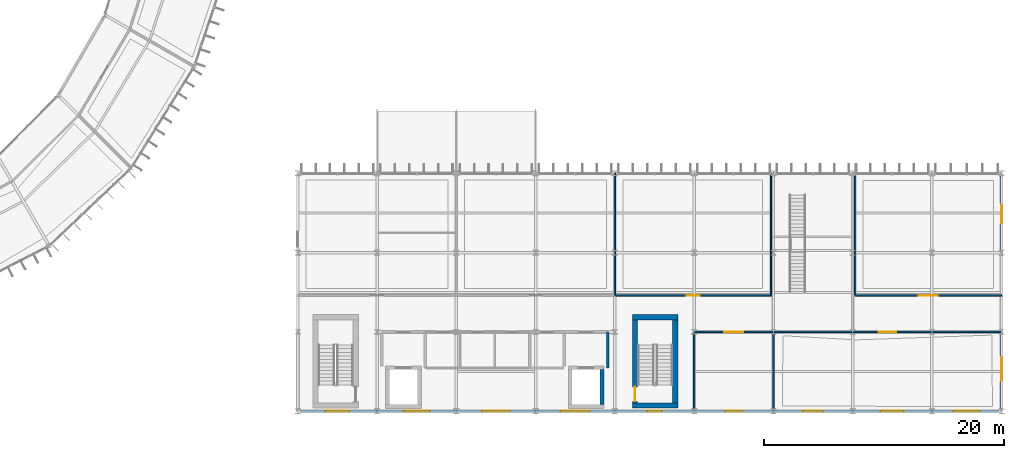
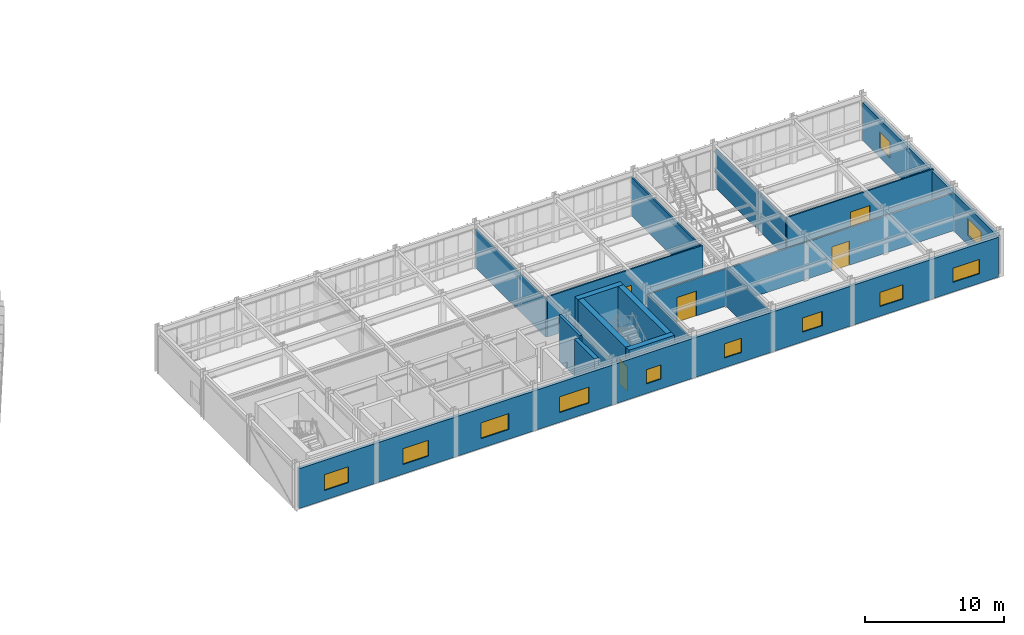
# One storey, part 129 of 148: 17 walls, 11 windows, 5 doors, 16 openings.
"""IFC4 building model written with IfcOpenShell, lengths in metres."""

import ifcopenshell
import ifcopenshell.guid

model = None  # the IFC model being written
_history = None  # IfcOwnerHistory: only IFC2X3 demands one
_inside = {}  # id of a spatial element -> (the spatial element, [elements in it])
_under = {}  # id of a project, library or spatial element -> (it, [spatial elements below it])
_declared = {}  # id of a project -> (the project, [libraries it declares])
_typed = {}  # id of a type object -> (the type object, [elements of that type])
_made_of = {}  # id of a material, layer set ... -> (it, [elements and type objects made of it])


def new_model(schema):
    """Start an empty IFC model of exactly this schema.

    Asked for "IFC4X3", IfcOpenShell would pick the latest addendum, in which some entities
    have other attributes; the version numbers below select the first issue.
    IFC2X3 requires an IfcOwnerHistory on every rooted entity: one is made here for all.
    """
    global model, _history
    if schema == "IFC4X3":
        model = ifcopenshell.file(schema_version=(4, 3, 0, 0))
    else:
        model = ifcopenshell.file(schema=schema)
    _inside.clear()
    _under.clear()
    _declared.clear()
    _typed.clear()
    _made_of.clear()
    _history = None
    if model.schema == "IFC2X3":
        org = make("IfcOrganization", Name="unknown")
        user = make(
            "IfcPersonAndOrganization",
            ThePerson=make("IfcPerson", FamilyName="unknown"),
            TheOrganization=org,
        )
        app = make(
            "IfcApplication",
            ApplicationDeveloper=org,
            Version="unknown",
            ApplicationFullName="unknown",
            ApplicationIdentifier="unknown",
        )
        _history = make(
            "IfcOwnerHistory",
            OwningUser=user,
            OwningApplication=app,
            ChangeAction="ADDED",
            CreationDate=0,
        )
    return model


def make(cls, **values):
    """One entity of the class cls with the attributes given. An attribute that is None is left unset."""
    return model.create_entity(
        cls, **{name: value for name, value in values.items() if value is not None}
    )


def rooted(cls, **values):
    """An entity with a GlobalId (a new one), such as an element, a storey or a relation."""
    return make(cls, GlobalId=ifcopenshell.guid.new(), OwnerHistory=_history, **values)


def si_unit(unit_type, name, prefix=None):
    """IfcSIUnit, for example si_unit("LENGTHUNIT", "METRE", prefix="MILLI")."""
    return make("IfcSIUnit", UnitType=unit_type, Prefix=prefix, Name=name)


def assignment(units):
    """IfcUnitAssignment: the units of a project."""
    return None if units is None else make("IfcUnitAssignment", Units=units)


def point(xyz):
    """IfcCartesianPoint."""
    return None if xyz is None else make("IfcCartesianPoint", Coordinates=xyz)


def direction(xyz):
    """IfcDirection."""
    return None if xyz is None else make("IfcDirection", DirectionRatios=xyz)


def frame(location, z_axis=None, x_axis=None):
    """IfcAxis2Placement3D, a coordinate frame: its origin and axes. An axis left out is left unset."""
    return make(
        "IfcAxis2Placement3D",
        Location=point(location),
        Axis=direction(z_axis),
        RefDirection=direction(x_axis),
    )


def frame_2d(location, x_axis=None):
    """IfcAxis2Placement2D, a coordinate frame in the plane: its origin and x axis."""
    return make(
        "IfcAxis2Placement2D", Location=point(location), RefDirection=direction(x_axis)
    )


def origin():
    """The frame at (0, 0, 0) with its axes left unset."""
    return frame((0.0, 0.0, 0.0))


def place(relative_to, where):
    """IfcLocalPlacement: puts the frame where relative to a parent placement (None: the world)."""
    return make(
        "IfcLocalPlacement", PlacementRelTo=relative_to, RelativePlacement=where
    )


def context(
    kind, dimensions, precision=None, world=None, true_north=None, identifier=None
):
    """IfcGeometricRepresentationContext, for example the 3D "Model" context."""
    return make(
        "IfcGeometricRepresentationContext",
        ContextIdentifier=identifier,
        ContextType=kind,
        CoordinateSpaceDimension=dimensions,
        Precision=precision,
        WorldCoordinateSystem=world,
        TrueNorth=true_north,
    )


def subcontext(parent, identifier, kind, view, scale=None):
    """IfcGeometricRepresentationSubContext, for example "Body" below "Model"."""
    return make(
        "IfcGeometricRepresentationSubContext",
        ContextIdentifier=identifier,
        ContextType=kind,
        ParentContext=parent,
        TargetScale=scale,
        TargetView=view,
    )


def project(units=None, contexts=None):
    """IfcProject with its units and contexts."""
    return rooted(
        "IfcProject",
        Name="project",
        RepresentationContexts=contexts,
        UnitsInContext=assignment(units),
    )


def spatial(cls, under=None, at=None, **own):
    """A site, building, storey or space (cls), placed at a placement, below another one or the project."""
    s = rooted(cls, ObjectPlacement=at, **own)
    if under is not None:
        _under.setdefault(under.id(), (under, []))[1].append(s)
    return s


def profile(cls, at=None, kind="AREA", **sizes):
    """A parametric profile (cls). Its sizes go by their IFC names, for example OverallWidth=200.0."""
    return make(cls, ProfileType=kind, Position=at, **sizes)


def rectangle(**sizes):
    """IfcRectangleProfileDef."""
    return profile("IfcRectangleProfileDef", **sizes)


def extrude(swept, where, along, depth):
    """IfcExtrudedAreaSolid: the profile swept, set in the frame where, extruded along a direction by depth."""
    return make(
        "IfcExtrudedAreaSolid",
        SweptArea=swept,
        Position=where,
        ExtrudedDirection=direction(along),
        Depth=depth,
    )


def shape(context_of_items, identifier, shape_type, items):
    """IfcShapeRepresentation: the items that make up one representation, for example the "Body"."""
    return make(
        "IfcShapeRepresentation",
        ContextOfItems=context_of_items,
        RepresentationIdentifier=identifier,
        RepresentationType=shape_type,
        Items=items,
    )


def material(Name=None, Category=None):
    """IfcMaterial."""
    return make("IfcMaterial", Name=Name, Category=Category)


def layer(
    of_material, thickness, ventilated=None, Name=None, Category=None, Priority=None
):
    """IfcMaterialLayer: one layer of a wall or slab, of a material (None: an air gap)."""
    return make(
        "IfcMaterialLayer",
        Material=of_material,
        LayerThickness=thickness,
        IsVentilated=ventilated,
        Name=Name,
        Category=Category,
        Priority=Priority,
    )


def layer_set(layers, Name=None):
    """IfcMaterialLayerSet."""
    return make("IfcMaterialLayerSet", MaterialLayers=layers, LayerSetName=Name)


def made_of(thing, what):
    """Note that an element or type object is made of a material, layer set ...; save() writes the relation."""
    if what is not None:
        _made_of.setdefault(what.id(), (what, []))[1].append(thing)
    return thing


def type_object(cls, material=None, **own):
    """A type object (cls), such as IfcWallType, which elements share."""
    return made_of(rooted(cls, **own), material)


def element(
    cls,
    number,
    at=None,
    inside=None,
    cuts=None,
    type_object=None,
    material=None,
    context=None,
    identifier="Body",
    shape_type=None,
    held_by="IfcProductDefinitionShape",
    body=None,
    shapes=None,
    **own,
):
    """One element of the class cls, such as IfcWall. Its Tag is "e" and its number.

    at: its placement. inside: the storey or other place that contains it. cuts: it is an
    opening in that element (IfcRelVoidsElement). A single representation is given by context,
    identifier, shape_type and body (its items); several are given by shapes. held_by: the class
    of the entity that holds the representations. save() writes the other relations.
    """
    e = rooted(cls, Tag="e%d" % number, ObjectPlacement=at, **own)
    if body is not None:
        shapes = [shape(context, identifier, shape_type, body)]
    if shapes is not None:
        e.Representation = make(held_by, Representations=shapes)
    if inside is not None:
        _inside.setdefault(inside.id(), (inside, []))[1].append(e)
    if cuts is not None:
        rooted(
            "IfcRelVoidsElement", RelatingBuildingElement=cuts, RelatedOpeningElement=e
        )
    if type_object is not None:
        _typed.setdefault(type_object.id(), (type_object, []))[1].append(e)
    return made_of(e, material)


def fill(opening, filler):
    """IfcRelFillsElement: the door or window that sits in an opening."""
    return rooted(
        "IfcRelFillsElement",
        RelatingOpeningElement=opening,
        RelatedBuildingElement=filler,
    )


def aggregate(whole, parts):
    """IfcRelAggregates: a whole, such as a stair, and the parts it consists of."""
    return rooted("IfcRelAggregates", RelatingObject=whole, RelatedObjects=parts)


def save(model, path):
    """Write the relations noted so far, then the file.

    IfcRelAggregates (storeys below a building ...), IfcRelContainedInSpatialStructure (elements
    in a storey), IfcRelDefinesByType, IfcRelAssociatesMaterial and IfcRelDeclares: one each for
    every whole, place, type object, material and project.
    """
    for whole, parts in _under.values():
        aggregate(whole, parts)
    for where, things in _inside.values():
        rooted(
            "IfcRelContainedInSpatialStructure",
            RelatedElements=things,
            RelatingStructure=where,
        )
    for kind, things in _typed.values():
        rooted("IfcRelDefinesByType", RelatedObjects=things, RelatingType=kind)
    for what, things in _made_of.values():
        rooted("IfcRelAssociatesMaterial", RelatedObjects=things, RelatingMaterial=what)
    for by, libraries in _declared.values():
        rooted("IfcRelDeclares", RelatingContext=by, RelatedDefinitions=libraries)
    model.write(path)


model = new_model("IFC4")

# Units and contexts
model_context = context("Model", 3, precision=1e-05, world=origin(), true_north=direction((0.0, 1.0)))
body_context = subcontext(model_context, "Body", "Model", "MODEL_VIEW")
ifc_project = project(units=[si_unit("LENGTHUNIT", "METRE"), si_unit("AREAUNIT", "SQUARE_METRE"), si_unit("VOLUMEUNIT", "CUBIC_METRE"), si_unit("PLANEANGLEUNIT", "RADIAN"), si_unit("MASSUNIT", "GRAM", prefix="KILO")], contexts=[model_context])

# Site, building, storey
site_placement = place(None, origin())
site = spatial("IfcSite", under=ifc_project, at=site_placement, CompositionType="ELEMENT")
building_placement = place(site_placement, origin())
building = spatial("IfcBuilding", under=site, at=building_placement, Name="Karori Crest Natural Sciences Institute", CompositionType="ELEMENT")
storey_placement = place(building_placement, frame((0.0, 0.0, 4.89990234375)))
storey = spatial("IfcBuildingStorey", under=building, at=storey_placement, Name="L01", CompositionType="ELEMENT", Elevation=4.89990234375)

# Walls
ifc_material_1 = material(Name="Concrete 50 MPa", Category="concrete")
ifc_layer_1 = layer(ifc_material_1, 0.449951171875, Name="Concrete 50 MPa")
ifc_layer_set_1 = layer_set([ifc_layer_1], Name="Concrete 50 MPa")
wall_type_1 = type_object("IfcWallType", Name="IWT-01", PredefinedType="SHEAR", material=ifc_layer_set_1)
for number, where, z_axis, x_axis, name in (
    (1, (131.449951171875, 1.27490234375, 0.0), (0.0, 0.0, 1.0), (1.0, 0.0, 0.0), "Shear wall IW-0125"),
    (2, (131.449951171875, 8.625, 0.0), (0.0, 0.0, 1.0), (1.0, 0.0, 0.0), "Shear wall IW-0126"),
):
    element("IfcWall", number, at=place(storey_placement, frame(where, z_axis=z_axis, x_axis=x_axis)), inside=storey, type_object=wall_type_1, Name=name, PredefinedType="SHEAR", context=body_context, shape_type="SweptSolid", body=[
        extrude(rectangle(XDim=3.800048828125, YDim=0.449951171875, at=frame_2d((1.89990234375, 0.0))), origin(), (0.0, 0.0, 1.0), 4.02001953125),
    ])

# Wall, opening, door
wall_1_placement = place(storey_placement, frame((131.675048828125, 1.501953125, 0.0), z_axis=(0.0, 0.0, 1.0), x_axis=(0.0, 1.0, 0.0)))
wall_1 = element("IfcWall", 3, at=wall_1_placement, inside=storey, type_object=wall_type_1, Name="Shear wall IW-0127", PredefinedType="SHEAR", context=body_context, shape_type="SweptSolid", body=[
    extrude(rectangle(XDim=6.89599609375, YDim=0.449951171875, at=frame_2d((3.447998046875, 0.0))), origin(), (0.0, 0.0, 1.0), 4.02001953125),
])
opening_1_placement = place(wall_1_placement, frame((0.1201171875, 0.0, 0.0)))
opening_1 = element("IfcOpeningElement", 4, at=opening_1_placement, cuts=wall_1, Name="Opening ID-0032", PredefinedType="OPENING", context=body_context, shape_type="SweptSolid", body=[
    extrude(rectangle(XDim=1.199951171875, YDim=2.14990234375, at=frame_2d((0.60009765625, 1.074951171875))), frame((0.0, 0.23486328125, 0.0), z_axis=(0.0, -1.0, 0.0), x_axis=(1.0, 0.0, 0.0)), (0.0, 0.0, 1.0), 0.469970703125),
])
ifc_material_2 = material(Name="Stainless steel 316 and fire-rated timber", Category="steel")
door_type_1 = type_object("IfcDoorType", Name="IDT-01", OperationType="NOTDEFINED", PredefinedType="DOOR", material=ifc_material_2)
door_1_placement = place(opening_1_placement, origin())
door_1 = element("IfcDoor", 5, at=door_1_placement, inside=storey, type_object=door_type_1, Name="Stair ST-04 fire door ID-0032", OperationType="SINGLE_SWING_RIGHT", OverallHeight=2.14990234375, OverallWidth=1.199951171875, PredefinedType="DOOR", context=body_context, shape_type="SweptSolid", body=[
    extrude(rectangle(XDim=1.199951171875, YDim=2.14990234375, at=frame_2d((0.60009765625, 1.074951171875))), frame((0.0, 0.02490234375, 0.0), z_axis=(0.0, -1.0, 0.0), x_axis=(1.0, 0.0, 0.0)), (0.0, 0.0, 1.0), 0.050048828125),
])
fill(opening_1, door_1)

# Walls
wall_2_placement = place(storey_placement, frame((135.02490234375, 1.501953125, 0.0), z_axis=(0.0, 0.0, 1.0), x_axis=(0.0, 1.0, 0.0)))
element("IfcWall", 6, at=wall_2_placement, inside=storey, type_object=wall_type_1, Name="Shear wall IW-0128", PredefinedType="SHEAR", context=body_context, shape_type="SweptSolid", body=[
    extrude(rectangle(XDim=6.89599609375, YDim=0.449951171875, at=frame_2d((3.447998046875, 0.0))), origin(), (0.0, 0.0, 1.0), 4.02001953125),
])
ifc_layer_2 = layer(ifc_material_1, 0.320068359375, Name="Concrete 50 MPa")
ifc_layer_set_2 = layer_set([ifc_layer_2], Name="Concrete 50 MPa")
wall_type_2 = type_object("IfcWallType", Name="IWT-03", PredefinedType="SHEAR", material=ifc_layer_set_2)
wall_3_placement = place(storey_placement, frame((128.919921875, 1.342041015625, 0.0), z_axis=(0.0, 0.0, 1.0), x_axis=(0.0, 1.0, 0.0)))
element("IfcWall", 7, at=wall_3_placement, inside=storey, type_object=wall_type_2, Name="Shear wall IW-0364", PredefinedType="SHEAR", context=body_context, shape_type="SweptSolid", body=[
    extrude(rectangle(XDim=2.916015625, YDim=0.320068359375, at=frame_2d((1.4580078125, 0.0))), origin(), (0.0, 0.0, 1.0), 4.02001953125),
])
ifc_material_3 = material(Name="Concrete 40 MPa", Category="concrete")
ifc_layer_3 = layer(ifc_material_3, 0.199951171875, Name="Concrete 40 MPa")
ifc_layer_set_3 = layer_set([ifc_layer_3], Name="Concrete 40 MPa")
wall_type_3 = type_object("IfcWallType", Name="IWT-04", PredefinedType="SOLIDWALL", material=ifc_layer_set_3)
wall_4_placement = place(storey_placement, frame((129.39990234375, 4.39990234375, 0.0), z_axis=(0.0, 0.0, 1.0), x_axis=(0.0, 1.0, 0.0)))
element("IfcWall", 8, at=wall_4_placement, inside=storey, type_object=wall_type_3, Name="Partition wall IW-0607", PredefinedType="SOLIDWALL", context=body_context, shape_type="SweptSolid", body=[
    extrude(rectangle(XDim=3.0, YDim=0.199951171875, at=frame_2d((1.5, 0.0))), origin(), (0.0, 0.0, 1.0), 4.02001953125),
])

# Wall, opening, door
ifc_material_4 = material(Name="Write-up office acoustic partition")
ifc_layer_4 = layer(ifc_material_4, 0.1201171875, Name="Write-up office acoustic partition")
ifc_layer_set_4 = layer_set([ifc_layer_4], Name="Write-up office acoustic partition")
wall_type_4 = type_object("IfcWallType", Name="IWT-08", PredefinedType="PARTITIONING", material=ifc_layer_set_4)
wall_5_placement = place(storey_placement, frame((136.60009765625, 7.39990234375, 0.0), z_axis=(0.0, 0.0, 1.0), x_axis=(1.0, 0.0, 0.0)))
wall_5 = element("IfcWall", 9, at=wall_5_placement, inside=storey, type_object=wall_type_4, Name="Partition wall IW-0619", PredefinedType="PARTITIONING", context=body_context, shape_type="SweptSolid", body=[
    extrude(rectangle(XDim=6.599853515625, YDim=0.1201171875, at=frame_2d((3.2998046875, 0.0))), origin(), (0.0, 0.0, 1.0), 3.293212890625),
])
opening_2_placement = place(wall_5_placement, frame((2.5, 0.0, 0.0)))
opening_2 = element("IfcOpeningElement", 10, at=opening_2_placement, cuts=wall_5, Name="Opening ID-0105", PredefinedType="OPENING", context=body_context, shape_type="SweptSolid", body=[
    extrude(rectangle(XDim=1.60009765625, YDim=2.179931640625, at=frame_2d((0.800048828125, 1.08984375))), frame((0.0, 0.070068359375, 0.0), z_axis=(0.0, -1.0, 0.0), x_axis=(1.0, 0.0, 0.0)), (0.0, 0.0, 1.0), 0.14013671875),
])
ifc_material_5 = material(Name="Anodised aluminium and acoustic timber", Category="wood")
door_type_2 = type_object("IfcDoorType", Name="IDT-13", OperationType="DOUBLE_DOOR_SINGLE_SWING", PredefinedType="DOOR", material=ifc_material_5)
door_2_placement = place(opening_2_placement, origin())
door_2 = element("IfcDoor", 11, at=door_2_placement, inside=storey, type_object=door_type_2, Name="Seminar Room door ID-0105", OperationType="DOUBLE_DOOR_SINGLE_SWING", OverallHeight=2.179931640625, OverallWidth=1.60009765625, PredefinedType="DOOR", context=body_context, shape_type="SweptSolid", body=[
    extrude(rectangle(XDim=1.60009765625, YDim=2.179931640625, at=frame_2d((0.800048828125, 1.08984375))), frame((0.0, 0.02490234375, 0.0), z_axis=(0.0, -1.0, 0.0), x_axis=(1.0, 0.0, 0.0)), (0.0, 0.0, 1.0), 0.050048828125),
])
fill(opening_2, door_2)

# Walls
wall_6_placement = place(storey_placement, frame((136.60009765625, 0.94189453125, 0.0), z_axis=(0.0, 0.0, 1.0), x_axis=(0.0, 1.0, 0.0)))
element("IfcWall", 12, at=wall_6_placement, inside=storey, type_object=wall_type_4, Name="Partition wall IW-0620", PredefinedType="PARTITIONING", context=body_context, shape_type="SweptSolid", body=[
    extrude(rectangle(XDim=6.39599609375, YDim=0.1201171875, at=frame_2d((3.197998046875, 0.0))), origin(), (0.0, 0.0, 1.0), 3.3720703125),
])
wall_7_placement = place(storey_placement, frame((143.199951171875, 0.94189453125, 0.0), z_axis=(0.0, 0.0, 1.0), x_axis=(0.0, 1.0, 0.0)))
element("IfcWall", 13, at=wall_7_placement, inside=storey, type_object=wall_type_4, Name="Partition wall IW-0621", PredefinedType="PARTITIONING", context=body_context, shape_type="SweptSolid", body=[
    extrude(rectangle(XDim=6.4580078125, YDim=0.1201171875, at=frame_2d((3.22900390625, 0.0))), origin(), (0.0, 0.0, 1.0), 3.3720703125),
])

# Wall, opening, door
wall_8_placement = place(storey_placement, frame((143.201904296875, 7.39990234375, 0.0), z_axis=(0.0, 0.0, 1.0), x_axis=(1.0, 0.0, 0.0)))
wall_8 = element("IfcWall", 14, at=wall_8_placement, inside=storey, type_object=wall_type_4, Name="Partition wall IW-0622", PredefinedType="PARTITIONING", context=body_context, shape_type="SweptSolid", body=[
    extrude(rectangle(XDim=18.998046875, YDim=0.1201171875, at=frame_2d((9.4990234375, 0.0))), origin(), (0.0, 0.0, 1.0), 3.293212890625),
])
opening_3_placement = place(wall_8_placement, frame((8.77392578125, 0.0, 0.0)))
opening_3 = element("IfcOpeningElement", 15, at=opening_3_placement, cuts=wall_8, Name="Opening ID-0106", PredefinedType="OPENING", context=body_context, shape_type="SweptSolid", body=[
    extrude(rectangle(XDim=1.449951171875, YDim=2.1201171875, at=frame_2d((0.72509765625, 1.06005859375))), frame((0.0, 0.070068359375, 0.0), z_axis=(0.0, -1.0, 0.0), x_axis=(1.0, 0.0, 0.0)), (0.0, 0.0, 1.0), 0.14013671875),
])
door_type_3 = type_object("IfcDoorType", Name="IDT-11", OperationType="DOUBLE_DOOR_SINGLE_SWING", PredefinedType="DOOR", material=ifc_material_5)
door_3_placement = place(opening_3_placement, origin())
door_3 = element("IfcDoor", 16, at=door_3_placement, inside=storey, type_object=door_type_3, Name="Colloquium Suite door ID-0106", OperationType="DOUBLE_DOOR_SINGLE_SWING", OverallHeight=2.1201171875, OverallWidth=1.449951171875, PredefinedType="DOOR", context=body_context, shape_type="SweptSolid", body=[
    extrude(rectangle(XDim=1.449951171875, YDim=2.1201171875, at=frame_2d((0.72509765625, 1.06005859375))), frame((0.0, 0.02490234375, 0.0), z_axis=(0.0, -1.0, 0.0), x_axis=(1.0, 0.0, 0.0)), (0.0, 0.0, 1.0), 0.050048828125),
])
fill(opening_3, door_3)

# Wall
wall_9_placement = place(storey_placement, frame((130.0, 10.449951171875, 0.0), z_axis=(0.0, 0.0, 1.0), x_axis=(0.0, 1.0, 0.0)))
element("IfcWall", 17, at=wall_9_placement, inside=storey, type_object=wall_type_4, Name="Partition wall IW-0626", PredefinedType="PARTITIONING", context=body_context, shape_type="SweptSolid", body=[
    extrude(rectangle(XDim=10.150146484375, YDim=0.1201171875, at=frame_2d((5.0751953125, 0.0))), origin(), (0.0, 0.0, 1.0), 3.3720703125),
])

# Wall, opening, door
wall_10_placement = place(storey_placement, frame((130.06201171875, 10.449951171875, 0.0), z_axis=(0.0, 0.0, 1.0), x_axis=(1.0, 0.0, 0.0)))
wall_10 = element("IfcWall", 18, at=wall_10_placement, inside=storey, type_object=wall_type_4, Name="Partition wall IW-0627", PredefinedType="PARTITIONING", context=body_context, shape_type="SweptSolid", body=[
    extrude(rectangle(XDim=12.93798828125, YDim=0.1201171875, at=frame_2d((6.468994140625, 0.0))), origin(), (0.0, 0.0, 1.0), 3.546142578125),
])
opening_4_placement = place(wall_10_placement, frame((5.928955078125, 0.0, 0.0)))
opening_4 = element("IfcOpeningElement", 19, at=opening_4_placement, cuts=wall_10, Name="Opening ID-0109", PredefinedType="OPENING", context=body_context, shape_type="SweptSolid", body=[
    extrude(rectangle(XDim=1.080078125, YDim=2.1201171875, at=frame_2d((0.5400390625, 1.06005859375))), frame((0.0, 0.070068359375, 0.0), z_axis=(0.0, -1.0, 0.0), x_axis=(1.0, 0.0, 0.0)), (0.0, 0.0, 1.0), 0.14013671875),
])
door_type_4 = type_object("IfcDoorType", Name="IDT-12", OperationType="NOTDEFINED", PredefinedType="DOOR", material=ifc_material_5)
door_4_placement = place(opening_4_placement, origin())
door_4 = element("IfcDoor", 20, at=door_4_placement, inside=storey, type_object=door_type_4, Name="Biostatistics Studio door ID-0109", OperationType="SINGLE_SWING_LEFT", OverallHeight=2.1201171875, OverallWidth=1.080078125, PredefinedType="DOOR", context=body_context, shape_type="SweptSolid", body=[
    extrude(rectangle(XDim=1.080078125, YDim=2.1201171875, at=frame_2d((0.5400390625, 1.06005859375))), frame((0.0, 0.02490234375, 0.0), z_axis=(0.0, -1.0, 0.0), x_axis=(1.0, 0.0, 0.0)), (0.0, 0.0, 1.0), 0.050048828125),
])
fill(opening_4, door_4)

# Wall
wall_11_placement = place(storey_placement, frame((143.0, 10.449951171875, 0.0), z_axis=(0.0, 0.0, 1.0), x_axis=(0.0, 1.0, 0.0)))
element("IfcWall", 21, at=wall_11_placement, inside=storey, type_object=wall_type_4, Name="Partition wall IW-0628", PredefinedType="PARTITIONING", context=body_context, shape_type="SweptSolid", body=[
    extrude(rectangle(XDim=10.150146484375, YDim=0.1201171875, at=frame_2d((5.0751953125, 0.0))), origin(), (0.0, 0.0, 1.0), 3.3720703125),
])

# Wall, opening, door
wall_12_placement = place(storey_placement, frame((150.0, 10.449951171875, 0.0), z_axis=(0.0, 0.0, 1.0), x_axis=(1.0, 0.0, 0.0)))
wall_12 = element("IfcWall", 22, at=wall_12_placement, inside=storey, type_object=wall_type_4, Name="Partition wall IW-0629", PredefinedType="PARTITIONING", context=body_context, shape_type="SweptSolid", body=[
    extrude(rectangle(XDim=12.199951171875, YDim=0.1201171875, at=frame_2d((6.10009765625, 0.0))), origin(), (0.0, 0.0, 1.0), 3.546142578125),
])
opening_5_placement = place(wall_12_placement, frame((5.300048828125, 0.0, 0.0)))
opening_5 = element("IfcOpeningElement", 23, at=opening_5_placement, cuts=wall_12, Name="Opening ID-0110", PredefinedType="OPENING", context=body_context, shape_type="SweptSolid", body=[
    extrude(rectangle(XDim=1.60009765625, YDim=2.179931640625, at=frame_2d((0.800048828125, 1.08984375))), frame((0.0, 0.070068359375, 0.0), z_axis=(0.0, -1.0, 0.0), x_axis=(1.0, 0.0, 0.0)), (0.0, 0.0, 1.0), 0.14013671875),
])
door_5_placement = place(opening_5_placement, origin())
door_5 = element("IfcDoor", 24, at=door_5_placement, inside=storey, type_object=door_type_2, Name="Academic Seminar Room door ID-0110", OperationType="DOUBLE_DOOR_SINGLE_SWING", OverallHeight=2.179931640625, OverallWidth=1.60009765625, PredefinedType="DOOR", context=body_context, shape_type="SweptSolid", body=[
    extrude(rectangle(XDim=1.60009765625, YDim=2.179931640625, at=frame_2d((0.800048828125, 1.08984375))), frame((0.0, 0.02490234375, 0.0), z_axis=(0.0, -1.0, 0.0), x_axis=(1.0, 0.0, 0.0)), (0.0, 0.0, 1.0), 0.050048828125),
])
fill(opening_5, door_5)

# Wall
wall_13_placement = place(storey_placement, frame((150.0, 10.511962890625, 0.0), z_axis=(0.0, 0.0, 1.0), x_axis=(0.0, 1.0, 0.0)))
element("IfcWall", 25, at=wall_13_placement, inside=storey, type_object=wall_type_4, Name="Partition wall IW-0630", PredefinedType="PARTITIONING", context=body_context, shape_type="SweptSolid", body=[
    extrude(rectangle(XDim=10.088134765625, YDim=0.1201171875, at=frame_2d((5.0439453125, 0.0))), origin(), (0.0, 0.0, 1.0), 3.3720703125),
])

# Wall, openings, windows
ifc_material_6 = material(Name="Precast concrete 40 MPa", Category="concrete")
ifc_layer_5 = layer(ifc_material_6, 0.239990234375, Name="Precast concrete 40 MPa")
ifc_layer_set_5 = layer_set([ifc_layer_5], Name="Precast concrete 40 MPa")
wall_type_5 = type_object("IfcWallType", Name="WT-04", PredefinedType="SOLIDWALL", material=ifc_layer_set_5)
wall_14_placement = place(storey_placement, frame((162.199951171875, 20.402099609375, 0.0), z_axis=(0.0, 0.0, 1.0), x_axis=(0.0, -1.0, 0.0)))
wall_14 = element("IfcWall", 26, at=wall_14_placement, inside=storey, type_object=wall_type_5, Name="Exterior wall EW-0198", PredefinedType="SOLIDWALL", context=body_context, shape_type="SweptSolid", body=[
    extrude(rectangle(XDim=19.404052734375, YDim=0.239990234375, at=frame_2d((9.7021484375, 0.0))), origin(), (0.0, 0.0, 1.0), 3.3720703125),
])
opening_6_placement = place(wall_14_placement, frame((2.39990234375, 0.0, 0.85009765625)))
opening_6 = element("IfcOpeningElement", 27, at=opening_6_placement, cuts=wall_14, Name="Opening WN-0133", PredefinedType="OPENING", context=body_context, shape_type="SweptSolid", body=[
    extrude(rectangle(XDim=1.550048828125, YDim=1.39990234375, at=frame_2d((0.77490234375, 0.699951171875))), frame((0.0, 0.1298828125, 0.0), z_axis=(0.0, -1.0, 0.0), x_axis=(1.0, 0.0, 0.0)), (0.0, 0.0, 1.0), 0.260009765625),
])
opening_7_placement = place(wall_14_placement, frame((15.10009765625, 0.0, 0.85009765625)))
opening_7 = element("IfcOpeningElement", 28, at=opening_7_placement, cuts=wall_14, Name="Opening WN-0134", PredefinedType="OPENING", context=body_context, shape_type="SweptSolid", body=[
    extrude(rectangle(XDim=1.949951171875, YDim=1.5, at=frame_2d((0.97509765625, 0.75))), frame((0.0, 0.1298828125, 0.0), z_axis=(0.0, -1.0, 0.0), x_axis=(1.0, 0.0, 0.0)), (0.0, 0.0, 1.0), 0.260009765625),
])
ifc_material_7 = material(Name="Double low-E laminated glass", Category="glass")
window_type_1 = type_object("IfcWindowType", Name="WNT-04", PartitioningType="SINGLE_PANEL", PredefinedType="WINDOW", material=ifc_material_7)
window_1_placement = place(opening_6_placement, origin())
window_1 = element("IfcWindow", 29, at=window_1_placement, inside=storey, type_object=window_type_1, Name="Window WN-0133", OverallHeight=1.39990234375, OverallWidth=1.550048828125, PartitioningType="SINGLE_PANEL", PredefinedType="WINDOW", context=body_context, shape_type="SweptSolid", body=[
    extrude(rectangle(XDim=1.550048828125, YDim=1.39990234375, at=frame_2d((0.77490234375, 0.699951171875))), frame((0.0, 0.030029296875, 0.0), z_axis=(0.0, -1.0, 0.0), x_axis=(1.0, 0.0, 0.0)), (0.0, 0.0, 1.0), 0.06005859375),
])
fill(opening_6, window_1)
window_type_2 = type_object("IfcWindowType", Name="WNT-21", PartitioningType="SINGLE_PANEL", PredefinedType="WINDOW", material=ifc_material_7)
window_2_placement = place(opening_7_placement, origin())
window_2 = element("IfcWindow", 30, at=window_2_placement, inside=storey, type_object=window_type_2, Name="Window WN-0134", OverallHeight=1.5, OverallWidth=1.949951171875, PartitioningType="SINGLE_PANEL", PredefinedType="WINDOW", context=body_context, shape_type="SweptSolid", body=[
    extrude(rectangle(XDim=1.949951171875, YDim=1.5, at=frame_2d((0.97509765625, 0.75))), frame((0.0, 0.030029296875, 0.0), z_axis=(0.0, -1.0, 0.0), x_axis=(1.0, 0.0, 0.0)), (0.0, 0.0, 1.0), 0.06005859375),
])
fill(opening_7, window_2)

wall_15_placement = place(storey_placement, frame((162.001953125, 0.800048828125, 0.0), z_axis=(0.0, 0.0, 1.0), x_axis=(-1.0, 0.0, 0.0)))
wall_15 = element("IfcWall", 31, at=wall_15_placement, inside=storey, type_object=wall_type_5, Name="Exterior wall EW-0199", PredefinedType="SOLIDWALL", context=body_context, shape_type="SweptSolid", body=[
    extrude(rectangle(XDim=58.203857421875, YDim=0.239990234375, at=frame_2d((29.10205078125, 0.0))), origin(), (0.0, 0.0, 1.0), 3.505126953125),
])
opening_8_placement = place(wall_15_placement, frame((54.10205078125, 0.0, 0.85009765625)))
opening_8 = element("IfcOpeningElement", 32, at=opening_8_placement, cuts=wall_15, Name="Opening WN-0135", PredefinedType="OPENING", context=body_context, shape_type="SweptSolid", body=[
    extrude(rectangle(XDim=2.0, YDim=1.39990234375, at=frame_2d((1.0, 0.699951171875))), frame((0.0, 0.1298828125, 0.0), z_axis=(0.0, -1.0, 0.0), x_axis=(1.0, 0.0, 0.0)), (0.0, 0.0, 1.0), 0.260009765625),
])
opening_9_placement = place(wall_15_placement, frame((47.427001953125, 0.0, 0.85009765625)))
opening_9 = element("IfcOpeningElement", 33, at=opening_9_placement, cuts=wall_15, Name="Opening WN-0136", PredefinedType="OPENING", context=body_context, shape_type="SweptSolid", body=[
    extrude(rectangle(XDim=2.14990234375, YDim=1.39990234375, at=frame_2d((1.074951171875, 0.699951171875))), frame((0.0, 0.1298828125, 0.0), z_axis=(0.0, -1.0, 0.0), x_axis=(1.0, 0.0, 0.0)), (0.0, 0.0, 1.0), 0.260009765625),
])
opening_10_placement = place(wall_15_placement, frame((40.751953125, 0.0, 0.85009765625)))
opening_10 = element("IfcOpeningElement", 34, at=opening_10_placement, cuts=wall_15, Name="Opening WN-0137", PredefinedType="OPENING", context=body_context, shape_type="SweptSolid", body=[
    extrude(rectangle(XDim=2.300048828125, YDim=1.39990234375, at=frame_2d((1.14990234375, 0.699951171875))), frame((0.0, 0.1298828125, 0.0), z_axis=(0.0, -1.0, 0.0), x_axis=(1.0, 0.0, 0.0)), (0.0, 0.0, 1.0), 0.260009765625),
])
opening_11_placement = place(wall_15_placement, frame((34.076904296875, 0.0, 0.85009765625)))
opening_11 = element("IfcOpeningElement", 35, at=opening_11_placement, cuts=wall_15, Name="Opening WN-0138", PredefinedType="OPENING", context=body_context, shape_type="SweptSolid", body=[
    extrude(rectangle(XDim=2.449951171875, YDim=1.39990234375, at=frame_2d((1.22509765625, 0.699951171875))), frame((0.0, 0.1298828125, 0.0), z_axis=(0.0, -1.0, 0.0), x_axis=(1.0, 0.0, 0.0)), (0.0, 0.0, 1.0), 0.260009765625),
])
opening_12_placement = place(wall_15_placement, frame((28.10205078125, 0.0, 0.85009765625)))
opening_12 = element("IfcOpeningElement", 36, at=opening_12_placement, cuts=wall_15, Name="Opening WN-0139", PredefinedType="OPENING", context=body_context, shape_type="SweptSolid", body=[
    extrude(rectangle(XDim=1.199951171875, YDim=1.25, at=frame_2d((0.60009765625, 0.625))), frame((0.0, 0.1298828125, 0.0), z_axis=(0.0, -1.0, 0.0), x_axis=(1.0, 0.0, 0.0)), (0.0, 0.0, 1.0), 0.260009765625),
])
opening_13_placement = place(wall_15_placement, frame((21.376953125, 0.0, 0.85009765625)))
opening_13 = element("IfcOpeningElement", 37, at=opening_13_placement, cuts=wall_15, Name="Opening WN-0140", PredefinedType="OPENING", context=body_context, shape_type="SweptSolid", body=[
    extrude(rectangle(XDim=1.449951171875, YDim=1.25, at=frame_2d((0.72509765625, 0.625))), frame((0.0, 0.1298828125, 0.0), z_axis=(0.0, -1.0, 0.0), x_axis=(1.0, 0.0, 0.0)), (0.0, 0.0, 1.0), 0.260009765625),
])
opening_14_placement = place(wall_15_placement, frame((14.677001953125, 0.0, 0.85009765625)))
opening_14 = element("IfcOpeningElement", 38, at=opening_14_placement, cuts=wall_15, Name="Opening WN-0141", PredefinedType="OPENING", context=body_context, shape_type="SweptSolid", body=[
    extrude(rectangle(XDim=1.64990234375, YDim=1.25, at=frame_2d((0.824951171875, 0.625))), frame((0.0, 0.1298828125, 0.0), z_axis=(0.0, -1.0, 0.0), x_axis=(1.0, 0.0, 0.0)), (0.0, 0.0, 1.0), 0.260009765625),
])
opening_15_placement = place(wall_15_placement, frame((7.951904296875, 0.0, 0.85009765625)))
opening_15 = element("IfcOpeningElement", 39, at=opening_15_placement, cuts=wall_15, Name="Opening WN-0142", PredefinedType="OPENING", context=body_context, shape_type="SweptSolid", body=[
    extrude(rectangle(XDim=1.89990234375, YDim=1.25, at=frame_2d((0.949951171875, 0.625))), frame((0.0, 0.1298828125, 0.0), z_axis=(0.0, -1.0, 0.0), x_axis=(1.0, 0.0, 0.0)), (0.0, 0.0, 1.0), 0.260009765625),
])
opening_16_placement = place(wall_15_placement, frame((1.60205078125, 0.0, 0.85009765625)))
opening_16 = element("IfcOpeningElement", 40, at=opening_16_placement, cuts=wall_15, Name="Opening WN-0143", PredefinedType="OPENING", context=body_context, shape_type="SweptSolid", body=[
    extrude(rectangle(XDim=2.199951171875, YDim=1.25, at=frame_2d((1.10009765625, 0.625))), frame((0.0, 0.1298828125, 0.0), z_axis=(0.0, -1.0, 0.0), x_axis=(1.0, 0.0, 0.0)), (0.0, 0.0, 1.0), 0.260009765625),
])
window_type_3 = type_object("IfcWindowType", Name="WNT-07", PartitioningType="SINGLE_PANEL", PredefinedType="WINDOW", material=ifc_material_7)
window_3_placement = place(opening_8_placement, origin())
window_3 = element("IfcWindow", 41, at=window_3_placement, inside=storey, type_object=window_type_3, Name="Window WN-0135", OverallHeight=1.39990234375, OverallWidth=2.0, PartitioningType="SINGLE_PANEL", PredefinedType="WINDOW", context=body_context, shape_type="SweptSolid", body=[
    extrude(rectangle(XDim=2.0, YDim=1.39990234375, at=frame_2d((1.0, 0.699951171875))), frame((0.0, 0.030029296875, 0.0), z_axis=(0.0, -1.0, 0.0), x_axis=(1.0, 0.0, 0.0)), (0.0, 0.0, 1.0), 0.06005859375),
])
fill(opening_8, window_3)
window_type_4 = type_object("IfcWindowType", Name="WNT-08", PartitioningType="SINGLE_PANEL", PredefinedType="WINDOW", material=ifc_material_7)
window_4_placement = place(opening_9_placement, origin())
window_4 = element("IfcWindow", 42, at=window_4_placement, inside=storey, type_object=window_type_4, Name="Window WN-0136", OverallHeight=1.39990234375, OverallWidth=2.14990234375, PartitioningType="SINGLE_PANEL", PredefinedType="WINDOW", context=body_context, shape_type="SweptSolid", body=[
    extrude(rectangle(XDim=2.14990234375, YDim=1.39990234375, at=frame_2d((1.074951171875, 0.699951171875))), frame((0.0, 0.030029296875, 0.0), z_axis=(0.0, -1.0, 0.0), x_axis=(1.0, 0.0, 0.0)), (0.0, 0.0, 1.0), 0.06005859375),
])
fill(opening_9, window_4)
window_type_5 = type_object("IfcWindowType", Name="WNT-09", PartitioningType="SINGLE_PANEL", PredefinedType="WINDOW", material=ifc_material_7)
window_5_placement = place(opening_10_placement, origin())
window_5 = element("IfcWindow", 43, at=window_5_placement, inside=storey, type_object=window_type_5, Name="Window WN-0137", OverallHeight=1.39990234375, OverallWidth=2.300048828125, PartitioningType="SINGLE_PANEL", PredefinedType="WINDOW", context=body_context, shape_type="SweptSolid", body=[
    extrude(rectangle(XDim=2.300048828125, YDim=1.39990234375, at=frame_2d((1.14990234375, 0.699951171875))), frame((0.0, 0.030029296875, 0.0), z_axis=(0.0, -1.0, 0.0), x_axis=(1.0, 0.0, 0.0)), (0.0, 0.0, 1.0), 0.06005859375),
])
fill(opening_10, window_5)
window_type_6 = type_object("IfcWindowType", Name="WNT-10", PartitioningType="SINGLE_PANEL", PredefinedType="WINDOW", material=ifc_material_7)
window_6_placement = place(opening_11_placement, origin())
window_6 = element("IfcWindow", 44, at=window_6_placement, inside=storey, type_object=window_type_6, Name="Window WN-0138", OverallHeight=1.39990234375, OverallWidth=2.449951171875, PartitioningType="SINGLE_PANEL", PredefinedType="WINDOW", context=body_context, shape_type="SweptSolid", body=[
    extrude(rectangle(XDim=2.449951171875, YDim=1.39990234375, at=frame_2d((1.22509765625, 0.699951171875))), frame((0.0, 0.030029296875, 0.0), z_axis=(0.0, -1.0, 0.0), x_axis=(1.0, 0.0, 0.0)), (0.0, 0.0, 1.0), 0.06005859375),
])
fill(opening_11, window_6)
window_type_7 = type_object("IfcWindowType", Name="WNT-11", PartitioningType="SINGLE_PANEL", PredefinedType="WINDOW", material=ifc_material_7)
window_7_placement = place(opening_12_placement, origin())
window_7 = element("IfcWindow", 45, at=window_7_placement, inside=storey, type_object=window_type_7, Name="Window WN-0139", OverallHeight=1.25, OverallWidth=1.199951171875, PartitioningType="SINGLE_PANEL", PredefinedType="WINDOW", context=body_context, shape_type="SweptSolid", body=[
    extrude(rectangle(XDim=1.199951171875, YDim=1.25, at=frame_2d((0.60009765625, 0.625))), frame((0.0, 0.030029296875, 0.0), z_axis=(0.0, -1.0, 0.0), x_axis=(1.0, 0.0, 0.0)), (0.0, 0.0, 1.0), 0.06005859375),
])
fill(opening_12, window_7)
window_type_8 = type_object("IfcWindowType", Name="WNT-12", PartitioningType="SINGLE_PANEL", PredefinedType="WINDOW", material=ifc_material_7)
window_8_placement = place(opening_13_placement, origin())
window_8 = element("IfcWindow", 46, at=window_8_placement, inside=storey, type_object=window_type_8, Name="Window WN-0140", OverallHeight=1.25, OverallWidth=1.449951171875, PartitioningType="SINGLE_PANEL", PredefinedType="WINDOW", context=body_context, shape_type="SweptSolid", body=[
    extrude(rectangle(XDim=1.449951171875, YDim=1.25, at=frame_2d((0.72509765625, 0.625))), frame((0.0, 0.030029296875, 0.0), z_axis=(0.0, -1.0, 0.0), x_axis=(1.0, 0.0, 0.0)), (0.0, 0.0, 1.0), 0.06005859375),
])
fill(opening_13, window_8)
window_type_9 = type_object("IfcWindowType", Name="WNT-13", PartitioningType="SINGLE_PANEL", PredefinedType="WINDOW", material=ifc_material_7)
window_9_placement = place(opening_14_placement, origin())
window_9 = element("IfcWindow", 47, at=window_9_placement, inside=storey, type_object=window_type_9, Name="Window WN-0141", OverallHeight=1.25, OverallWidth=1.64990234375, PartitioningType="SINGLE_PANEL", PredefinedType="WINDOW", context=body_context, shape_type="SweptSolid", body=[
    extrude(rectangle(XDim=1.64990234375, YDim=1.25, at=frame_2d((0.824951171875, 0.625))), frame((0.0, 0.030029296875, 0.0), z_axis=(0.0, -1.0, 0.0), x_axis=(1.0, 0.0, 0.0)), (0.0, 0.0, 1.0), 0.06005859375),
])
fill(opening_14, window_9)
window_type_10 = type_object("IfcWindowType", Name="WNT-14", PartitioningType="SINGLE_PANEL", PredefinedType="WINDOW", material=ifc_material_7)
window_10_placement = place(opening_15_placement, origin())
window_10 = element("IfcWindow", 48, at=window_10_placement, inside=storey, type_object=window_type_10, Name="Window WN-0142", OverallHeight=1.25, OverallWidth=1.89990234375, PartitioningType="SINGLE_PANEL", PredefinedType="WINDOW", context=body_context, shape_type="SweptSolid", body=[
    extrude(rectangle(XDim=1.89990234375, YDim=1.25, at=frame_2d((0.949951171875, 0.625))), frame((0.0, 0.030029296875, 0.0), z_axis=(0.0, -1.0, 0.0), x_axis=(1.0, 0.0, 0.0)), (0.0, 0.0, 1.0), 0.06005859375),
])
fill(opening_15, window_10)
window_type_11 = type_object("IfcWindowType", Name="WNT-15", PartitioningType="SINGLE_PANEL", PredefinedType="WINDOW", material=ifc_material_7)
window_11_placement = place(opening_16_placement, origin())
window_11 = element("IfcWindow", 49, at=window_11_placement, inside=storey, type_object=window_type_11, Name="Window WN-0143", OverallHeight=1.25, OverallWidth=2.199951171875, PartitioningType="SINGLE_PANEL", PredefinedType="WINDOW", context=body_context, shape_type="SweptSolid", body=[
    extrude(rectangle(XDim=2.199951171875, YDim=1.25, at=frame_2d((1.10009765625, 0.625))), frame((0.0, 0.030029296875, 0.0), z_axis=(0.0, -1.0, 0.0), x_axis=(1.0, 0.0, 0.0)), (0.0, 0.0, 1.0), 0.06005859375),
])
fill(opening_16, window_11)

save(model, "model.ifc")
